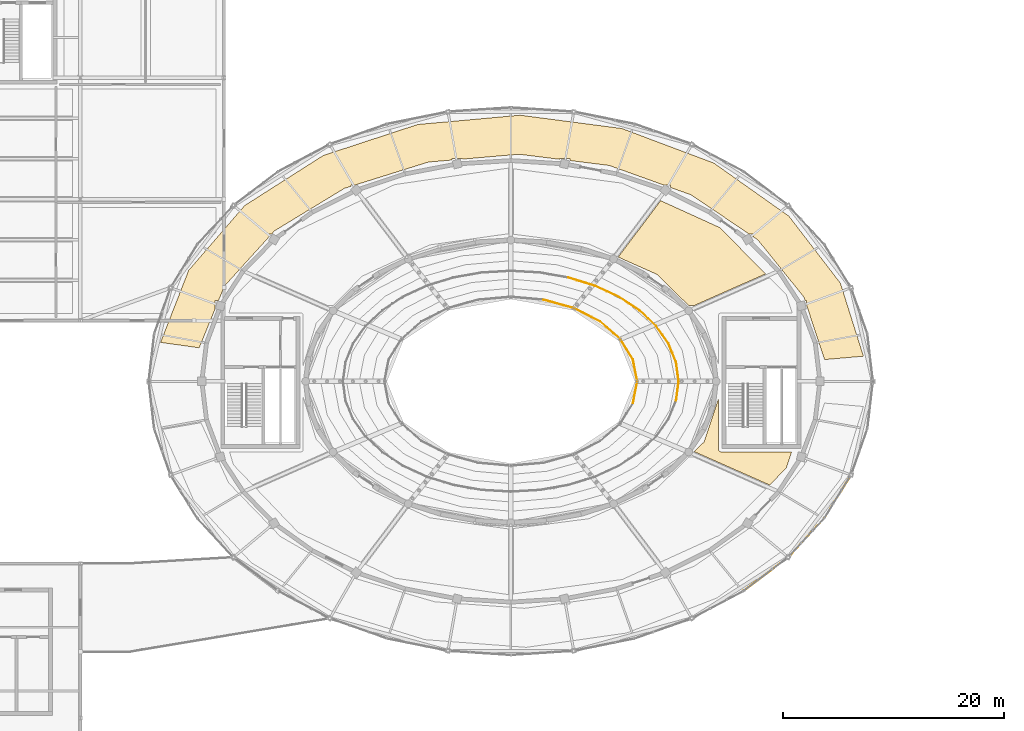
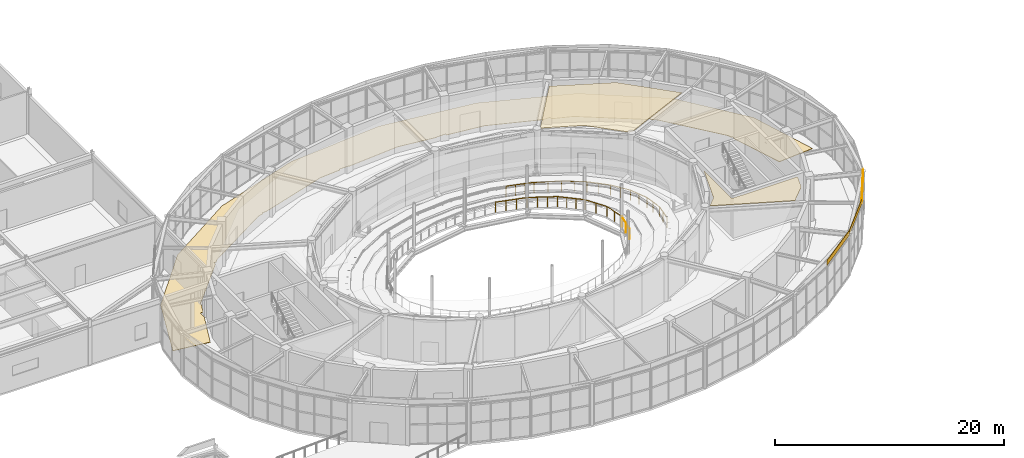
# One storey, part 102 of 108: 14 railings, 6 coverings.
"""IFC4 building model written with IfcOpenShell, lengths in metres."""

from ifc_helpers import new_model, si_unit, direction, frame, frame_2d, origin, origin_2d, place, context, subcontext, project, spatial, polyline, rectangle, circle, outline, extrude, material, layer, layer_set, type_object, element, save


model = new_model("IFC4")

# Units and contexts
model_context = context("Model", 3, precision=1e-05, world=origin(), true_north=direction((0.0, 1.0)))
body_context = subcontext(model_context, "Body", "Model", "MODEL_VIEW")
ifc_project = project(units=[si_unit("LENGTHUNIT", "METRE"), si_unit("AREAUNIT", "SQUARE_METRE"), si_unit("VOLUMEUNIT", "CUBIC_METRE"), si_unit("PLANEANGLEUNIT", "RADIAN"), si_unit("MASSUNIT", "GRAM", prefix="KILO")], contexts=[model_context])

# Site, building, storey
site_placement = place(None, origin())
site = spatial("IfcSite", under=ifc_project, at=site_placement, CompositionType="ELEMENT")
building_placement = place(site_placement, origin())
building = spatial("IfcBuilding", under=site, at=building_placement, Name="Tarnveldt Headland Concert Hall", CompositionType="ELEMENT")
storey_placement = place(building_placement, frame((0.0, 0.0, 9.60009765625)))
storey = spatial("IfcBuildingStorey", under=building, at=storey_placement, Name="L02", CompositionType="ELEMENT", Elevation=9.60009765625)

# Coverings
ifc_material_1 = material(Name="Micro-perforated mvule acoustic ceiling panel", Category="timber")
ifc_layer_1 = layer(ifc_material_1, 0.050048828125, Name="Micro-perforated mvule acoustic ceiling panel", Category="timber")
ifc_layer_set_1 = layer_set([ifc_layer_1], Name="Micro-perforated mvule acoustic ceiling panel")
covering_type_1 = type_object("IfcCoveringType", Name="CV-CEIL50", PredefinedType="CEILING", material=ifc_layer_set_1)
covering_1_placement = place(storey_placement, frame((0.0, 0.0, 4.5)))
element("IfcCovering", 1, at=covering_1_placement, inside=storey, type_object=covering_type_1, Name="Acoustic mvule ceiling L02-09-250", PredefinedType="CEILING", context=body_context, shape_type="SweptSolid", body=[
    extrude(outline(polyline([(100.978271484375, 48.989013671875), (100.988525390625, 49.00244140625), (100.99755859375, 49.016845703125), (101.005126953125, 49.031982421875), (101.01123046875, 49.0478515625), (102.320068359375, 52.966796875), (102.320068359375, 48.300048828125), (102.32080078125, 48.282470703125), (102.323486328125, 48.264892578125), (102.327880859375, 48.247802734375), (102.333740234375, 48.231201171875), (102.34130859375, 48.215087890625), (102.350341796875, 48.199951171875), (102.36083984375, 48.185791015625), (102.372802734375, 48.172607421875), (102.3857421875, 48.160888671875), (102.39990234375, 48.150390625), (102.4150390625, 48.141357421875), (102.43115234375, 48.1337890625), (102.44775390625, 48.127685546875), (102.46484375, 48.12353515625), (102.482421875, 48.120849609375), (102.5, 48.1201171875), (108.928955078125, 48.1201171875), (108.440185546875, 46.62646484375), (106.93408203125, 45.11181640625), (100.10791015625, 48.13037109375), (100.966796875, 48.9765625), (100.978271484375, 48.989013671875)])), origin(), (0.0, 0.0, 1.0), 0.0498046875),
])
covering_2_placement = place(storey_placement, frame((0.0, 0.0, 4.5)))
element("IfcCovering", 2, at=covering_2_placement, inside=storey, type_object=covering_type_1, Name="Acoustic mvule ceiling L02-10-251", PredefinedType="CEILING", context=body_context, shape_type="SweptSolid", body=[
    extrude(outline(polyline([(96.739990234375, 64.183837890625), (96.726318359375, 64.1923828125), (96.7119140625, 64.19970703125), (93.25, 65.742919921875), (93.25, 65.7998046875), (97.069091796875, 70.866943359375), (102.412109375, 68.435791015625), (106.586669921875, 64.237548828125), (100.056884765625, 61.35009765625), (99.620361328125, 61.35009765625), (96.764892578125, 64.163330078125), (96.7529296875, 64.17431640625), (96.739990234375, 64.183837890625)])), origin(), (0.0, 0.0, 1.0), 0.0498046875),
])
ifc_material_2 = material(Name="Treated East African mvule hardwood", Category="wood")
ifc_layer_2 = layer(ifc_material_2, 0.044921875, Name="Treated East African mvule hardwood", Category="wood")
ifc_layer_set_2 = layer_set([ifc_layer_2], Name="Treated East African mvule hardwood")
covering_type_2 = type_object("IfcCoveringType", Name="CV-CLAD45", PredefinedType="CLADDING", material=ifc_layer_set_2)
covering_3_placement = place(storey_placement, frame((104.58349609375, 35.502197265625, 4.27001953125), z_axis=(0.0, 0.0, 1.0), x_axis=(0.797664418204, 0.603101546948, 0.0)))
element("IfcCovering", 3, at=covering_3_placement, inside=storey, type_object=covering_type_2, Name="Mvule hardwood fascia band L02-32", PredefinedType="CLADDING", context=body_context, shape_type="SweptSolid", body=[
    extrude(rectangle(XDim=5.068115234375, YDim=0.044921875, at=frame_2d((2.5341796875, 0.0))), origin(), (0.0, 0.0, 1.0), 0.519775390625),
])
covering_4_placement = place(storey_placement, frame((108.626220703125, 38.558837890625, 4.27001953125), z_axis=(0.0, 0.0, 1.0), x_axis=(0.67944736966, 0.733724247835, 0.0)))
element("IfcCovering", 4, at=covering_4_placement, inside=storey, type_object=covering_type_2, Name="Mvule hardwood fascia band L02-33", PredefinedType="CLADDING", context=body_context, shape_type="SweptSolid", body=[
    extrude(rectangle(XDim=4.826416015625, YDim=0.044921875, at=frame_2d((2.4130859375, 0.0))), origin(), (0.0, 0.0, 1.0), 0.519775390625),
])
covering_5_placement = place(storey_placement, frame((111.905517578125, 42.10009765625, 4.27001953125), z_axis=(0.0, 0.0, 1.0), x_axis=(0.524979001727, 0.851115178895, 0.0)))
element("IfcCovering", 5, at=covering_5_placement, inside=storey, type_object=covering_type_2, Name="Mvule hardwood fascia band L02-34", PredefinedType="CLADDING", context=body_context, shape_type="SweptSolid", body=[
    extrude(rectangle(XDim=4.60302734375, YDim=0.044921875, at=frame_2d((2.301513671875, 0.0))), origin(), (0.0, 0.0, 1.0), 0.519775390625),
])
ifc_material_3 = material(Name="Polished coral-aggregate cementitious terrazzo flooring", Category="concrete")
ifc_layer_3 = layer(ifc_material_3, 0.034912109375, Name="Polished coral-aggregate cementitious terrazzo flooring", Category="concrete")
ifc_layer_set_3 = layer_set([ifc_layer_3], Name="Polished coral-aggregate cementitious terrazzo flooring")
covering_type_3 = type_object("IfcCoveringType", Name="CV-FLOR35", PredefinedType="FLOORING", material=ifc_layer_set_3)
covering_6_placement = place(storey_placement, origin())
element("IfcCovering", 6, at=covering_6_placement, inside=storey, type_object=covering_type_3, Name="Architectural flooring L02-12-71", PredefinedType="FLOORING", context=body_context, shape_type="SweptSolid", body=[
    extrude(outline(polyline([(110.027587890625, 62.15576171875), (105.897216796875, 67.2841796875), (105.88525390625, 67.297607421875), (105.8720703125, 67.309814453125), (105.857666015625, 67.320556640625), (105.42431640625, 67.613525390625), (105.42431640625, 67.830810546875), (105.1025390625, 67.830810546875), (99.849609375, 71.380126953125), (99.8369140625, 71.38818359375), (99.823486328125, 71.39501953125), (99.809814453125, 71.400390625), (97.97509765625, 72.05908203125), (97.97509765625, 72.29541015625), (97.316162109375, 72.29541015625), (92.43115234375, 74.048828125), (92.412109375, 74.054443359375), (92.392578125, 74.05810546875), (88.837158203125, 74.50146484375), (88.837158203125, 74.671142578125), (87.88720703125, 74.671142578125), (87.88720703125, 74.619873046875), (84.265625, 75.071533203125), (84.246826171875, 75.072998046875), (84.227783203125, 75.072265625), (79.11279296875, 74.630859375), (79.11279296875, 74.671142578125), (78.162841796875, 74.671142578125), (78.162841796875, 74.549072265625), (76.038330078125, 74.365478515625), (76.01904296875, 74.36279296875), (76.0, 74.358154296875), (69.411865234375, 72.29541015625), (69.02490234375, 72.29541015625), (69.02490234375, 72.17431640625), (68.438720703125, 71.99072265625), (68.418212890625, 71.98291015625), (68.39892578125, 71.972900390625), (62.103271484375, 68.14453125), (62.0888671875, 68.135009765625), (62.07568359375, 68.123779296875), (62.0634765625, 68.111572265625), (61.80908203125, 67.830810546875), (61.57568359375, 67.830810546875), (61.57568359375, 67.5732421875), (57.56494140625, 63.145263671875), (57.554931640625, 63.13330078125), (57.546142578125, 63.120361328125), (57.538330078125, 63.106689453125), (57.53173828125, 63.092529296875), (57.01025390625, 61.8154296875), (56.713623046875, 61.8154296875), (56.713623046875, 61.08935546875), (55.2626953125, 57.536865234375), (51.7646484375, 58.028564453125), (54.3115234375, 64.559814453125), (59.390380859375, 70.43212890625), (66.509033203125, 74.966064453125), (75.06787109375, 77.7724609375), (84.341796875, 78.610595703125), (93.54443359375, 77.408447265625), (101.895263671875, 74.269287109375), (108.687255859375, 69.462646484375), (113.348876953125, 63.400390625), (115.43798828125, 56.777587890625), (111.918212890625, 56.4697265625), (110.286376953125, 61.408935546875), (110.286376953125, 61.8154296875), (110.152099609375, 61.8154296875), (110.058349609375, 62.099365234375), (110.052490234375, 62.114501953125), (110.04541015625, 62.12890625), (110.037109375, 62.142578125), (110.027587890625, 62.15576171875)])), origin(), (0.0, 0.0, 1.0), 0.034912109375),
])

# Railings
ifc_material_4 = material(Name="Marine stainless steel", Category="steel")
ifc_layer_4 = layer(ifc_material_4, 0.06005859375, Name="Marine stainless steel", Category="steel")
ifc_layer_set_4 = layer_set([ifc_layer_4], Name="Marine stainless steel")
railing_type = type_object("IfcRailingType", Name="RL-GRD110", PredefinedType="GUARDRAIL", material=ifc_layer_set_4)
railing_1_placement = place(storey_placement, frame((94.949951171875, 54.5, 0.27978515625)))
element("IfcRailing", 7, at=railing_1_placement, inside=storey, type_object=railing_type, Name="GUARD Symphony tier sightline guardrail L02 1", PredefinedType="GUARDRAIL", context=body_context, shape_type="SweptSolid", body=[
    extrude(circle(Radius=0.02392578125, at=origin_2d()), frame((0.0, 0.0, 1.076171875), z_axis=(-0.193323530369, 0.981135063386, 0.0), x_axis=(-0.981135063386, -0.193323530369, 0.0)), (0.0, 0.0, 1.0), 2.01806640625),
    extrude(circle(Radius=0.02099609375, at=origin_2d()), origin(), (0.0, 0.0, 1.0), 1.052001953125),
    extrude(circle(Radius=0.02099609375, at=origin_2d()), frame((-0.195068359375, 0.989990234375, 0.0)), (0.0, 0.0, 1.0), 1.052001953125),
    extrude(circle(Radius=0.02099609375, at=origin_2d()), frame((-0.39013671875, 1.97998046875, 0.0)), (0.0, 0.0, 1.0), 1.052001953125),
])
railing_2_placement = place(storey_placement, frame((94.559814453125, 56.47998046875, 0.27978515625)))
element("IfcRailing", 8, at=railing_2_placement, inside=storey, type_object=railing_type, Name="GUARD Symphony tier sightline guardrail L02 2", PredefinedType="GUARDRAIL", context=body_context, shape_type="SweptSolid", body=[
    extrude(circle(Radius=0.02392578125, at=origin_2d()), frame((0.0, 0.0, 1.076171875), z_axis=(-0.526912047172, 0.849919816538, 0.0), x_axis=(-0.849919816538, -0.526912047172, 0.0)), (0.0, 0.0, 1.0), 2.170654296875),
    extrude(circle(Radius=0.02099609375, at=origin_2d()), origin(), (0.0, 0.0, 1.0), 1.052001953125),
    extrude(circle(Radius=0.02099609375, at=origin_2d()), frame((-0.57177734375, 0.92236328125, 0.0)), (0.0, 0.0, 1.0), 1.052001953125),
    extrude(circle(Radius=0.02099609375, at=origin_2d()), frame((-1.143798828125, 1.844970703125, 0.0)), (0.0, 0.0, 1.0), 1.052001953125),
])
railing_3_placement = place(storey_placement, frame((93.416015625, 58.324951171875, 0.27978515625)))
element("IfcRailing", 9, at=railing_3_placement, inside=storey, type_object=railing_type, Name="GUARD Symphony tier sightline guardrail L02 3", PredefinedType="GUARDRAIL", context=body_context, shape_type="SweptSolid", body=[
    extrude(circle(Radius=0.02392578125, at=origin_2d()), frame((0.0, 0.0, 1.076171875), z_axis=(-0.754147872627, 0.656704641534, 0.0), x_axis=(-0.656704641534, -0.754147872627, 0.0)), (0.0, 0.0, 1.0), 2.412841796875),
    extrude(circle(Radius=0.02099609375, at=origin_2d()), origin(), (0.0, 0.0, 1.0), 1.052001953125),
    extrude(circle(Radius=0.02099609375, at=origin_2d()), frame((-0.6064453125, 0.528076171875, 0.0)), (0.0, 0.0, 1.0), 1.052001953125),
    extrude(circle(Radius=0.02099609375, at=origin_2d()), frame((-1.213134765625, 1.056396484375, 0.0)), (0.0, 0.0, 1.0), 1.052001953125),
    extrude(circle(Radius=0.02099609375, at=origin_2d()), frame((-1.819580078125, 1.58447265625, 0.0)), (0.0, 0.0, 1.0), 1.052001953125),
])
railing_4_placement = place(storey_placement, frame((91.596435546875, 59.909423828125, 0.27978515625)))
element("IfcRailing", 10, at=railing_4_placement, inside=storey, type_object=railing_type, Name="GUARD Symphony tier sightline guardrail L02 4", PredefinedType="GUARDRAIL", context=body_context, shape_type="SweptSolid", body=[
    extrude(circle(Radius=0.02392578125, at=origin_2d()), frame((0.0, 0.0, 1.076171875), z_axis=(-0.889892806019, 0.456169698463, 0.0), x_axis=(-0.456169698463, -0.889892806019, 0.0)), (0.0, 0.0, 1.0), 2.664794921875),
    extrude(circle(Radius=0.02099609375, at=origin_2d()), origin(), (0.0, 0.0, 1.0), 1.052001953125),
    extrude(circle(Radius=0.02099609375, at=origin_2d()), frame((-0.79052734375, 0.4052734375, 0.0)), (0.0, 0.0, 1.0), 1.052001953125),
    extrude(circle(Radius=0.02099609375, at=origin_2d()), frame((-1.580810546875, 0.810302734375, 0.0)), (0.0, 0.0, 1.0), 1.052001953125),
    extrude(circle(Radius=0.02099609375, at=origin_2d()), frame((-2.371337890625, 1.215576171875, 0.0)), (0.0, 0.0, 1.0), 1.052001953125),
])
railing_5_placement = place(storey_placement, frame((89.22509765625, 61.125, 0.27978515625)))
element("IfcRailing", 11, at=railing_5_placement, inside=storey, type_object=railing_type, Name="GUARD Symphony tier sightline guardrail L02 5", PredefinedType="GUARDRAIL", context=body_context, shape_type="SweptSolid", body=[
    extrude(circle(Radius=0.02392578125, at=origin_2d()), frame((0.0, 0.0, 1.076171875), z_axis=(-0.963764063419, 0.266756124696, 0.0), x_axis=(-0.266756124696, -0.963764063419, 0.0)), (0.0, 0.0, 1.0), 2.865478515625),
    extrude(circle(Radius=0.02099609375, at=origin_2d()), origin(), (0.0, 0.0, 1.0), 1.052001953125),
    extrude(circle(Radius=0.02099609375, at=origin_2d()), frame((-0.920654296875, 0.2548828125, 0.0)), (0.0, 0.0, 1.0), 1.052001953125),
    extrude(circle(Radius=0.02099609375, at=origin_2d()), frame((-1.841064453125, 0.509521484375, 0.0)), (0.0, 0.0, 1.0), 1.052001953125),
    extrude(circle(Radius=0.02099609375, at=origin_2d()), frame((-2.76171875, 0.764404296875, 0.0)), (0.0, 0.0, 1.0), 1.052001953125),
])
railing_6_placement = place(storey_placement, frame((94.559814453125, 52.52001953125, 0.27978515625)))
element("IfcRailing", 12, at=railing_6_placement, inside=storey, type_object=railing_type, Name="GUARD Symphony tier sightline guardrail L02 24", PredefinedType="GUARDRAIL", context=body_context, shape_type="SweptSolid", body=[
    extrude(circle(Radius=0.02392578125, at=origin_2d()), frame((0.0, 0.0, 1.076171875), z_axis=(0.193323530369, 0.981135063386, 0.0), x_axis=(-0.981135063386, 0.193323530369, 0.0)), (0.0, 0.0, 1.0), 2.01806640625),
    extrude(circle(Radius=0.02099609375, at=origin_2d()), origin(), (0.0, 0.0, 1.0), 1.052001953125),
    extrude(circle(Radius=0.02099609375, at=origin_2d()), frame((0.195068359375, 0.989990234375, 0.0)), (0.0, 0.0, 1.0), 1.052001953125),
    extrude(circle(Radius=0.02099609375, at=origin_2d()), frame((0.39013671875, 1.97998046875, 0.0)), (0.0, 0.0, 1.0), 1.052001953125),
])
railing_7_placement = place(storey_placement, frame((98.699951171875, 54.5, 0.0)))
element("IfcRailing", 13, at=railing_7_placement, inside=storey, type_object=railing_type, Name="GUARD Auditorium void guardrail L02 1", PredefinedType="GUARDRAIL", context=body_context, shape_type="SweptSolid", body=[
    extrude(circle(Radius=0.02392578125, at=origin_2d()), frame((0.0, 0.0, 1.076171875), z_axis=(-0.131835089673, 0.991271662629, 0.0), x_axis=(-0.991271662629, -0.131835089673, 0.0)), (0.0, 0.0, 1.0), 1.751953125),
    extrude(circle(Radius=0.02099609375, at=origin_2d()), origin(), (0.0, 0.0, 1.0), 1.052001953125),
    extrude(circle(Radius=0.02099609375, at=origin_2d()), frame((-0.115478515625, 0.8681640625, 0.0)), (0.0, 0.0, 1.0), 1.052001953125),
    extrude(circle(Radius=0.02099609375, at=origin_2d()), frame((-0.23095703125, 1.736572265625, 0.0)), (0.0, 0.0, 1.0), 1.052001953125),
])
railing_8_placement = place(storey_placement, frame((98.468994140625, 56.236572265625, 0.0)))
element("IfcRailing", 14, at=railing_8_placement, inside=storey, type_object=railing_type, Name="GUARD Auditorium void guardrail L02 2", PredefinedType="GUARDRAIL", context=body_context, shape_type="SweptSolid", body=[
    extrude(circle(Radius=0.02392578125, at=origin_2d()), frame((0.0, 0.0, 1.076171875), z_axis=(-0.377241429706, 0.926114951674, 0.0), x_axis=(-0.926114951674, -0.377241429706, 0.0)), (0.0, 0.0, 1.0), 1.81787109375),
    extrude(circle(Radius=0.02099609375, at=origin_2d()), origin(), (0.0, 0.0, 1.0), 1.052001953125),
    extrude(circle(Radius=0.02099609375, at=origin_2d()), frame((-0.3427734375, 0.841796875, 0.0)), (0.0, 0.0, 1.0), 1.052001953125),
    extrude(circle(Radius=0.02099609375, at=origin_2d()), frame((-0.685791015625, 1.68359375, 0.0)), (0.0, 0.0, 1.0), 1.052001953125),
])
railing_9_placement = place(storey_placement, frame((97.783203125, 57.920166015625, 0.0)))
element("IfcRailing", 15, at=railing_9_placement, inside=storey, type_object=railing_type, Name="GUARD Auditorium void guardrail L02 3", PredefinedType="GUARDRAIL", context=body_context, shape_type="SweptSolid", body=[
    extrude(circle(Radius=0.02392578125, at=origin_2d()), frame((0.0, 0.0, 1.076171875), z_axis=(-0.578216724182, 0.815883214606, 0.0), x_axis=(-0.815883214606, -0.578216724182, 0.0)), (0.0, 0.0, 1.0), 1.936279296875),
    extrude(circle(Radius=0.02099609375, at=origin_2d()), origin(), (0.0, 0.0, 1.0), 1.052001953125),
    extrude(circle(Radius=0.02099609375, at=origin_2d()), frame((-0.559814453125, 0.7900390625, 0.0)), (0.0, 0.0, 1.0), 1.052001953125),
    extrude(circle(Radius=0.02099609375, at=origin_2d()), frame((-1.11962890625, 1.579833984375, 0.0)), (0.0, 0.0, 1.0), 1.052001953125),
])
railing_10_placement = place(storey_placement, frame((96.66357421875, 59.5, 0.0)))
element("IfcRailing", 16, at=railing_10_placement, inside=storey, type_object=railing_type, Name="GUARD Auditorium void guardrail L02 4", PredefinedType="GUARDRAIL", context=body_context, shape_type="SweptSolid", body=[
    extrude(circle(Radius=0.02392578125, at=origin_2d()), frame((0.0, 0.0, 1.076171875), z_axis=(-0.728773712747, 0.684754609776, 0.0), x_axis=(-0.684754609776, -0.728773712747, 0.0)), (0.0, 0.0, 1.0), 2.08544921875),
    extrude(circle(Radius=0.02099609375, at=origin_2d()), origin(), (0.0, 0.0, 1.0), 1.052001953125),
    extrude(circle(Radius=0.02099609375, at=origin_2d()), frame((-0.759765625, 0.7138671875, 0.0)), (0.0, 0.0, 1.0), 1.052001953125),
    extrude(circle(Radius=0.02099609375, at=origin_2d()), frame((-1.519775390625, 1.427978515625, 0.0)), (0.0, 0.0, 1.0), 1.052001953125),
])
railing_11_placement = place(storey_placement, frame((95.143798828125, 60.927978515625, 0.0)))
element("IfcRailing", 17, at=railing_11_placement, inside=storey, type_object=railing_type, Name="GUARD Auditorium void guardrail L02 5", PredefinedType="GUARDRAIL", context=body_context, shape_type="SweptSolid", body=[
    extrude(circle(Radius=0.02392578125, at=origin_2d()), frame((0.0, 0.0, 1.076171875), z_axis=(-0.835418397825, 0.549614501788, 0.0), x_axis=(-0.549614501788, -0.835418397825, 0.0)), (0.0, 0.0, 1.0), 2.242431640625),
    extrude(circle(Radius=0.02099609375, at=origin_2d()), origin(), (0.0, 0.0, 1.0), 1.052001953125),
    extrude(circle(Radius=0.02099609375, at=origin_2d()), frame((-0.9365234375, 0.6162109375, 0.0)), (0.0, 0.0, 1.0), 1.052001953125),
    extrude(circle(Radius=0.02099609375, at=origin_2d()), frame((-1.873291015625, 1.232421875, 0.0)), (0.0, 0.0, 1.0), 1.052001953125),
])
railing_12_placement = place(storey_placement, frame((93.2705078125, 62.160400390625, 0.0)))
element("IfcRailing", 18, at=railing_12_placement, inside=storey, type_object=railing_type, Name="GUARD Auditorium void guardrail L02 6", PredefinedType="GUARDRAIL", context=body_context, shape_type="SweptSolid", body=[
    extrude(circle(Radius=0.02392578125, at=origin_2d()), frame((0.0, 0.0, 1.076171875), z_axis=(-0.908234283008, 0.418462049854, 0.0), x_axis=(-0.418462049854, -0.908234283008, 0.0)), (0.0, 0.0, 1.0), 2.3896484375),
    extrude(circle(Radius=0.02099609375, at=origin_2d()), origin(), (0.0, 0.0, 1.0), 1.052001953125),
    extrude(circle(Radius=0.02099609375, at=origin_2d()), frame((-1.085205078125, 0.5, 0.0)), (0.0, 0.0, 1.0), 1.052001953125),
    extrude(circle(Radius=0.02099609375, at=origin_2d()), frame((-2.17041015625, 1.0, 0.0)), (0.0, 0.0, 1.0), 1.052001953125),
])
railing_13_placement = place(storey_placement, frame((91.10009765625, 63.160400390625, 0.0)))
element("IfcRailing", 19, at=railing_13_placement, inside=storey, type_object=railing_type, Name="GUARD Auditorium void guardrail L02 7", PredefinedType="GUARDRAIL", context=body_context, shape_type="SweptSolid", body=[
    extrude(circle(Radius=0.02392578125, at=origin_2d()), frame((0.0, 0.0, 1.076171875), z_axis=(-0.956037133001, 0.293245631381, 0.0), x_axis=(-0.293245631381, -0.956037133001, 0.0)), (0.0, 0.0, 1.0), 2.51171875),
    extrude(circle(Radius=0.02099609375, at=origin_2d()), origin(), (0.0, 0.0, 1.0), 1.052001953125),
    extrude(circle(Radius=0.02099609375, at=origin_2d()), frame((-0.800537109375, 0.24560546875, 0.0)), (0.0, 0.0, 1.0), 1.052001953125),
    extrude(circle(Radius=0.02099609375, at=origin_2d()), frame((-1.600830078125, 0.490966796875, 0.0)), (0.0, 0.0, 1.0), 1.052001953125),
    extrude(circle(Radius=0.02099609375, at=origin_2d()), frame((-2.4013671875, 0.736572265625, 0.0)), (0.0, 0.0, 1.0), 1.052001953125),
])
railing_14_placement = place(storey_placement, frame((98.468994140625, 52.763427734375, 0.0)))
element("IfcRailing", 20, at=railing_14_placement, inside=storey, type_object=railing_type, Name="GUARD Auditorium void guardrail L02 36", PredefinedType="GUARDRAIL", context=body_context, shape_type="SweptSolid", body=[
    extrude(circle(Radius=0.02392578125, at=origin_2d()), frame((0.0, 0.0, 1.076171875), z_axis=(0.131835089673, 0.991271662629, 0.0), x_axis=(-0.991271662629, 0.131835089673, 0.0)), (0.0, 0.0, 1.0), 1.751953125),
    extrude(circle(Radius=0.02099609375, at=origin_2d()), origin(), (0.0, 0.0, 1.0), 1.052001953125),
    extrude(circle(Radius=0.02099609375, at=origin_2d()), frame((0.115478515625, 0.8681640625, 0.0)), (0.0, 0.0, 1.0), 1.052001953125),
    extrude(circle(Radius=0.02099609375, at=origin_2d()), frame((0.23095703125, 1.736572265625, 0.0)), (0.0, 0.0, 1.0), 1.052001953125),
])

save(model, "model.ifc")
